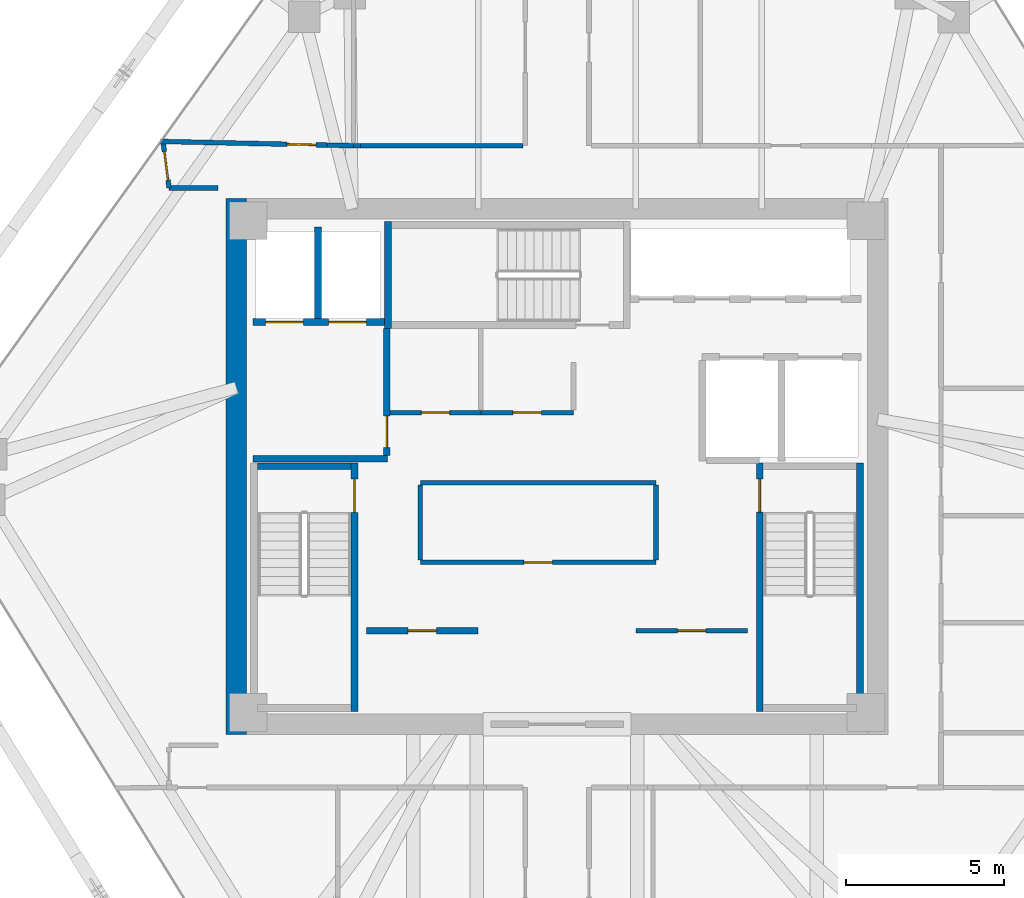
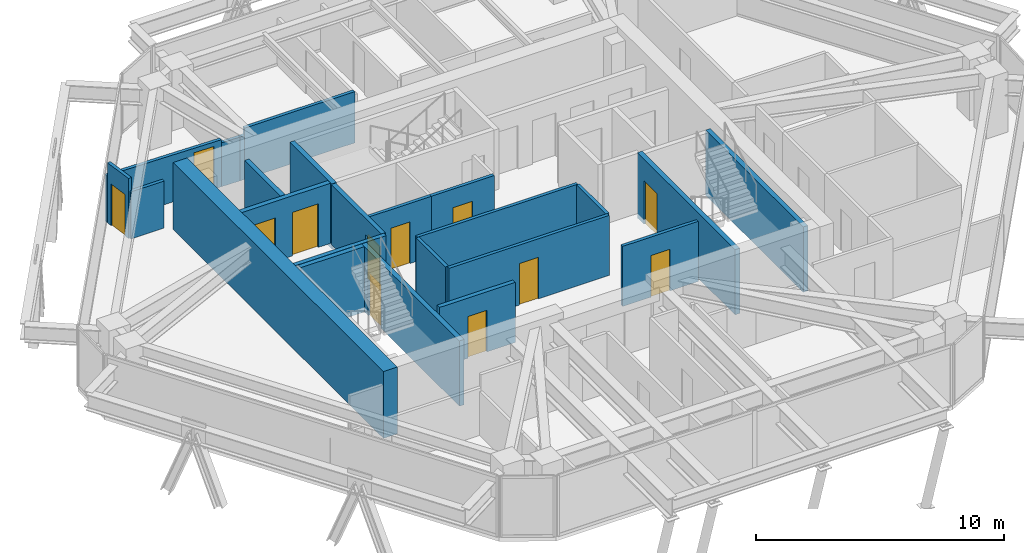
# One storey, part 11 of 14: 24 walls, 12 doors, 12 openings.
"""IFC4 building model written with IfcOpenShell, lengths in metres."""

from ifc_helpers import new_model, si_unit, direction, frame, frame_2d, origin, place, context, subcontext, project, spatial, rectangle, extrude, source, transform, mapped, material, layer, layer_set, type_object, type_shapes, element, fill, save


model = new_model("IFC4")

# Units and contexts
model_context = context("Model", 3, precision=1e-05, world=origin(), true_north=direction((0.0, 1.0)))
body_context = subcontext(model_context, "Body", "Model", "MODEL_VIEW")
ifc_project = project(units=[si_unit("LENGTHUNIT", "METRE"), si_unit("AREAUNIT", "SQUARE_METRE"), si_unit("VOLUMEUNIT", "CUBIC_METRE"), si_unit("PLANEANGLEUNIT", "RADIAN"), si_unit("MASSUNIT", "GRAM", prefix="KILO")], contexts=[model_context])

# Site, building, storey
site_placement = place(None, origin())
site = spatial("IfcSite", under=ifc_project, at=site_placement, CompositionType="ELEMENT")
building_placement = place(site_placement, origin())
building = spatial("IfcBuilding", under=site, at=building_placement, Name="Durnholm Broadcast Tower", CompositionType="ELEMENT")
storey_placement = place(building_placement, frame((0.0, 0.0, 159.300048828125)))
storey = spatial("IfcBuildingStorey", under=building, at=storey_placement, Name="L43", CompositionType="ELEMENT", Elevation=159.300048828125)

# Walls
ifc_material_1 = material(Name="Concrete C70/85", Category="concrete")
ifc_layer_1 = layer(ifc_material_1, 0.64990234375)
ifc_layer_set_1 = layer_set([ifc_layer_1], Name="Concrete C70/85")
wall_type_1 = type_object("IfcWallType", Name="WALL-CW-650", PredefinedType="SHEAR", material=ifc_layer_set_1)
wall_1_placement = place(storey_placement, frame((-10.175048828125, -8.5, 0.0), z_axis=(0.0, 0.0, 1.0), x_axis=(0.0, 1.0, 0.0)))
element("IfcWall", 1, at=wall_1_placement, inside=storey, type_object=wall_type_1, Name="L43 central core shear wall CW-WEST", PredefinedType="SHEAR", context=body_context, shape_type="SweptSolid", body=[
    extrude(rectangle(XDim=17.0, YDim=0.64990234375, at=frame_2d((8.5, 0.0))), origin(), (0.0, 0.0, 1.0), 3.300048828125),
])
ifc_material_2 = material(Name="Fire-Rated Gypsum Shaftwall", Category="concrete")
ifc_layer_2 = layer(ifc_material_2, 0.199951171875)
ifc_layer_set_2 = layer_set([ifc_layer_2], Name="Fire-Rated Gypsum Shaftwall")
wall_type_2 = type_object("IfcWallType", Name="WALL-LOB-200", PredefinedType="SOLIDWALL", material=ifc_layer_set_2)
wall_2_placement = place(storey_placement, frame((-9.64990234375, 0.25, 0.0), z_axis=(0.0, 0.0, 1.0), x_axis=(1.0, 0.0, 0.0)))
element("IfcWall", 2, at=wall_2_placement, inside=storey, type_object=wall_type_2, Name="L43 Fire Service Access Elevator lobby south wall", PredefinedType="SOLIDWALL", context=body_context, shape_type="SweptSolid", body=[
    extrude(rectangle(XDim=4.27001953125, YDim=0.199951171875, at=frame_2d((2.135009765625, 0.0))), origin(), (0.0, 0.0, 1.0), 2.96484375),
])

# Wall, opening, door
wall_3_placement = place(storey_placement, frame((-5.39990234375, 0.35400390625, 0.0), z_axis=(0.0, 0.0, 1.0), x_axis=(0.0, 1.0, 0.0)))
wall_3 = element("IfcWall", 3, at=wall_3_placement, inside=storey, type_object=wall_type_2, Name="L43 Fire Service Access Elevator lobby east fire wall", PredefinedType="SOLIDWALL", context=body_context, shape_type="SweptSolid", body=[
    extrude(rectangle(XDim=4.02587890625, YDim=0.199951171875, at=frame_2d((2.012939453125, 0.0))), origin(), (0.0, 0.0, 1.0), 2.96484375),
])
opening_1_placement = place(wall_3_placement, frame((0.24609375, 0.0, 0.0)))
opening_1 = element("IfcOpeningElement", 4, at=opening_1_placement, cuts=wall_3, Name="Opening DL-60R", PredefinedType="OPENING", context=body_context, shape_type="SweptSolid", body=[
    extrude(rectangle(XDim=1.0, YDim=2.14990234375, at=frame_2d((0.5, 1.074951171875))), frame((0.0, 0.10986328125, 0.0), z_axis=(0.0, -1.0, 0.0), x_axis=(1.0, 0.0, 0.0)), (0.0, 0.0, 1.0), 0.219970703125),
])
ifc_material_3 = material(Name="Fire-Rated Timber/Steel Door", Category="steel")
ifc_layer_3 = layer(ifc_material_3, 0.050048828125)
ifc_layer_set_3 = layer_set([ifc_layer_3], Name="Fire-Rated Timber/Steel Door")
door_type_1 = type_object("IfcDoorType", Name="DOOR-LOB-FD60-R", OperationType="NOTDEFINED", PredefinedType="DOOR", material=ifc_layer_set_3)
shared_shape_1 = source(origin(), body_context, "Body", "SweptSolid", [
    extrude(rectangle(XDim=1.0, YDim=2.14990234375, at=frame_2d((0.5, 1.074951171875))), frame((0.0, 0.02490234375, 0.0), z_axis=(0.0, -1.0, 0.0), x_axis=(1.0, 0.0, 0.0)), (0.0, 0.0, 1.0), 0.050048828125),
])
type_shapes(door_type_1, [shared_shape_1])
door_1_placement = place(opening_1_placement, origin())
door_1 = element("IfcDoor", 5, at=door_1_placement, inside=storey, type_object=door_type_1, Name="L43 Fire Service Access Elevator lobby smoke door", OperationType="SINGLE_SWING_RIGHT", OverallHeight=2.14990234375, OverallWidth=1.0, PredefinedType="DOOR", context=body_context, shape_type="MappedRepresentation", body=[
    mapped(shared_shape_1, transform((0.0, 0.0, 0.0), x_axis=(1.0, 0.0, 0.0), y_axis=(0.0, 1.0, 0.0), z_axis=(0.0, 0.0, 1.0), scale=1.0)),
])
fill(opening_1, door_1)

wall_4_placement = place(storey_placement, frame((-6.0400390625, -5.2099609375, 0.0), z_axis=(0.0, 0.0, 1.0), x_axis=(1.0, 0.0, 0.0)))
wall_4 = element("IfcWall", 6, at=wall_4_placement, inside=storey, type_object=wall_type_2, Name="L43 Broadcast Signal Rack Room corridor partition", PredefinedType="SOLIDWALL", context=body_context, shape_type="SweptSolid", body=[
    extrude(rectangle(XDim=3.530029296875, YDim=0.199951171875, at=frame_2d((1.76513671875, 0.0))), origin(), (0.0, 0.0, 1.0), 2.96484375),
])
opening_2_placement = place(wall_4_placement, frame((1.31494140625, 0.0, 0.0)))
opening_2 = element("IfcOpeningElement", 7, at=opening_2_placement, cuts=wall_4, Name="Opening DC-60L", PredefinedType="OPENING", context=body_context, shape_type="SweptSolid", body=[
    extrude(rectangle(XDim=0.89990234375, YDim=2.050048828125, at=frame_2d((0.449951171875, 1.02490234375))), frame((0.0, 0.10986328125, 0.0), z_axis=(0.0, -1.0, 0.0), x_axis=(1.0, 0.0, 0.0)), (0.0, 0.0, 1.0), 0.219970703125),
])
ifc_material_4 = material(Name="Fire-Rated Core Service Door", Category="steel")
ifc_layer_4 = layer(ifc_material_4, 0.050048828125)
ifc_layer_set_4 = layer_set([ifc_layer_4], Name="Fire-Rated Core Service Door")
door_type_2 = type_object("IfcDoorType", Name="DOOR-CORE-FD60-L", OperationType="NOTDEFINED", PredefinedType="DOOR", material=ifc_layer_set_4)
shared_shape_2 = source(origin(), body_context, "Body", "SweptSolid", [
    extrude(rectangle(XDim=0.89990234375, YDim=2.050048828125, at=frame_2d((0.449951171875, 1.02490234375))), frame((0.0, 0.02490234375, 0.0), z_axis=(0.0, -1.0, 0.0), x_axis=(1.0, 0.0, 0.0)), (0.0, 0.0, 1.0), 0.050048828125),
])
type_shapes(door_type_2, [shared_shape_2])
door_2_placement = place(opening_2_placement, origin())
door_2 = element("IfcDoor", 8, at=door_2_placement, inside=storey, type_object=door_type_2, Name="L43 Broadcast Signal Rack Room entrance door", OperationType="SINGLE_SWING_LEFT", OverallHeight=2.050048828125, OverallWidth=0.89990234375, PredefinedType="DOOR", context=body_context, shape_type="MappedRepresentation", body=[
    mapped(shared_shape_2, transform((0.0, 0.0, 0.0), x_axis=(1.0, 0.0, 0.0), y_axis=(0.0, 1.0, 0.0), z_axis=(0.0, 0.0, 1.0), scale=1.0)),
])
fill(opening_2, door_2)

ifc_material_5 = material(Name="Acoustic Gypsum Stud Partition", Category="concrete")
ifc_layer_5 = layer(ifc_material_5, 0.14990234375)
ifc_layer_set_5 = layer_set([ifc_layer_5], Name="Acoustic Gypsum Stud Partition")
wall_type_3 = type_object("IfcWallType", Name="WALL-PART-150", PredefinedType="PARTITIONING", material=ifc_layer_set_5)
wall_5_placement = place(storey_placement, frame((2.510009765625, -5.2099609375, 0.0), z_axis=(0.0, 0.0, 1.0), x_axis=(1.0, 0.0, 0.0)))
wall_5 = element("IfcWall", 9, at=wall_5_placement, inside=storey, type_object=wall_type_3, Name="L43 Editorial Beverage Pantry corridor partition", PredefinedType="PARTITIONING", context=body_context, shape_type="SweptSolid", body=[
    extrude(rectangle(XDim=3.530029296875, YDim=0.14990234375, at=frame_2d((1.76513671875, 0.0))), origin(), (0.0, 0.0, 1.0), 2.96484375),
])
opening_3_placement = place(wall_5_placement, frame((1.31494140625, 0.0, 0.0)))
opening_3 = element("IfcOpeningElement", 10, at=opening_3_placement, cuts=wall_5, Name="Opening DC-60R", PredefinedType="OPENING", context=body_context, shape_type="SweptSolid", body=[
    extrude(rectangle(XDim=0.89990234375, YDim=2.050048828125, at=frame_2d((0.449951171875, 1.02490234375))), frame((0.0, 0.0849609375, 0.0), z_axis=(0.0, -1.0, 0.0), x_axis=(1.0, 0.0, 0.0)), (0.0, 0.0, 1.0), 0.169921875),
])
ifc_layer_6 = layer(ifc_material_4, 0.050048828125)
ifc_layer_set_6 = layer_set([ifc_layer_6], Name="Fire-Rated Core Service Door")
door_type_3 = type_object("IfcDoorType", Name="DOOR-CORE-FD60-R", OperationType="NOTDEFINED", PredefinedType="DOOR", material=ifc_layer_set_6)
shared_shape_3 = source(origin(), body_context, "Body", "SweptSolid", [
    extrude(rectangle(XDim=0.89990234375, YDim=2.050048828125, at=frame_2d((0.449951171875, 1.02490234375))), frame((0.0, 0.02490234375, 0.0), z_axis=(0.0, -1.0, 0.0), x_axis=(1.0, 0.0, 0.0)), (0.0, 0.0, 1.0), 0.050048828125),
])
type_shapes(door_type_3, [shared_shape_3])
door_3_placement = place(opening_3_placement, origin())
door_3 = element("IfcDoor", 11, at=door_3_placement, inside=storey, type_object=door_type_3, Name="L43 Editorial Beverage Pantry entrance door", OperationType="SINGLE_SWING_RIGHT", OverallHeight=2.050048828125, OverallWidth=0.89990234375, PredefinedType="DOOR", context=body_context, shape_type="MappedRepresentation", body=[
    mapped(shared_shape_3, transform((0.0, 0.0, 0.0), x_axis=(1.0, 0.0, 0.0), y_axis=(0.0, 1.0, 0.0), z_axis=(0.0, 0.0, 1.0), scale=1.0)),
])
fill(opening_3, door_3)

wall_6_placement = place(storey_placement, frame((3.139892578125, -3.0400390625, 0.0), z_axis=(0.0, 0.0, 1.0), x_axis=(-1.0, 0.0, 0.0)))
wall_6 = element("IfcWall", 12, at=wall_6_placement, inside=storey, type_object=wall_type_3, Name="L43 Broadcast Equipment Pantry corridor partition", PredefinedType="PARTITIONING", context=body_context, shape_type="SweptSolid", body=[
    extrude(rectangle(XDim=7.47998046875, YDim=0.14990234375, at=frame_2d((3.739990234375, 0.0))), origin(), (0.0, 0.0, 1.0), 2.96484375),
])
opening_4_placement = place(wall_6_placement, frame((3.2900390625, 0.0, 0.0)))
opening_4 = element("IfcOpeningElement", 13, at=opening_4_placement, cuts=wall_6, Name="Opening DC-60L", PredefinedType="OPENING", context=body_context, shape_type="SweptSolid", body=[
    extrude(rectangle(XDim=0.89990234375, YDim=2.050048828125, at=frame_2d((0.449951171875, 1.02490234375))), frame((0.0, 0.0849609375, 0.0), z_axis=(0.0, -1.0, 0.0), x_axis=(1.0, 0.0, 0.0)), (0.0, 0.0, 1.0), 0.169921875),
])
door_4_placement = place(opening_4_placement, origin())
door_4 = element("IfcDoor", 14, at=door_4_placement, inside=storey, type_object=door_type_2, Name="L43 Broadcast Equipment Pantry entrance door", OperationType="SINGLE_SWING_LEFT", OverallHeight=2.050048828125, OverallWidth=0.89990234375, PredefinedType="DOOR", context=body_context, shape_type="MappedRepresentation", body=[
    mapped(shared_shape_2, transform((0.0, 0.0, 0.0), x_axis=(1.0, 0.0, 0.0), y_axis=(0.0, 1.0, 0.0), z_axis=(0.0, 0.0, 1.0), scale=1.0)),
])
fill(opening_4, door_4)

# Walls
wall_7_placement = place(storey_placement, frame((-4.340087890625, -0.510009765625, 0.0), z_axis=(0.0, 0.0, 1.0), x_axis=(1.0, 0.0, 0.0)))
element("IfcWall", 15, at=wall_7_placement, inside=storey, type_object=wall_type_3, Name="L43 Broadcast Equipment Pantry corridor partition", PredefinedType="PARTITIONING", context=body_context, shape_type="SweptSolid", body=[
    extrude(rectangle(XDim=7.47998046875, YDim=0.14990234375, at=frame_2d((3.739990234375, 0.0))), origin(), (0.0, 0.0, 1.0), 2.96484375),
])
for number, where, z_axis, x_axis, name in (
    (16, (-4.340087890625, -2.9609375, 0.0), (0.0, 0.0, 1.0), (0.0, 1.0, 0.0), "L43 Broadcast Equipment Pantry corridor partition"),
    (17, (3.139892578125, -0.589111328125, 0.0), (0.0, 0.0, 1.0), (0.0, -1.0, 0.0), "L43 Broadcast Equipment Pantry corridor partition"),
):
    element("IfcWall", number, at=place(storey_placement, frame(where, z_axis=z_axis, x_axis=x_axis)), inside=storey, type_object=wall_type_3, Name=name, PredefinedType="PARTITIONING", context=body_context, shape_type="SweptSolid", body=[
        extrude(rectangle(XDim=2.371826171875, YDim=0.14990234375, at=frame_2d((1.18603515625, 0.0))), origin(), (0.0, 0.0, 1.0), 2.96484375),
    ])

# Wall, opening, door
wall_8_placement = place(storey_placement, frame((-2.419921875, 1.7099609375, 0.0), z_axis=(0.0, 0.0, 1.0), x_axis=(-1.0, 0.0, 0.0)))
wall_8 = element("IfcWall", 18, at=wall_8_placement, inside=storey, type_object=wall_type_3, Name="L43 Core Equipment Store corridor partition", PredefinedType="PARTITIONING", context=body_context, shape_type="SweptSolid", body=[
    extrude(rectangle(XDim=2.8759765625, YDim=0.14990234375, at=frame_2d((1.43798828125, 0.0))), origin(), (0.0, 0.0, 1.0), 2.96484375),
])
opening_5_placement = place(wall_8_placement, frame((0.988037109375, 0.0, 0.0)))
opening_5 = element("IfcOpeningElement", 19, at=opening_5_placement, cuts=wall_8, Name="Opening DC-60R", PredefinedType="OPENING", context=body_context, shape_type="SweptSolid", body=[
    extrude(rectangle(XDim=0.89990234375, YDim=2.050048828125, at=frame_2d((0.449951171875, 1.02490234375))), frame((0.0, 0.0849609375, 0.0), z_axis=(0.0, -1.0, 0.0), x_axis=(1.0, 0.0, 0.0)), (0.0, 0.0, 1.0), 0.169921875),
])
door_5_placement = place(opening_5_placement, origin())
door_5 = element("IfcDoor", 20, at=door_5_placement, inside=storey, type_object=door_type_3, Name="L43 Core Equipment Store entrance door", OperationType="SINGLE_SWING_RIGHT", OverallHeight=2.050048828125, OverallWidth=0.89990234375, PredefinedType="DOOR", context=body_context, shape_type="MappedRepresentation", body=[
    mapped(shared_shape_3, transform((0.0, 0.0, 0.0), x_axis=(1.0, 0.0, 0.0), y_axis=(0.0, 1.0, 0.0), z_axis=(0.0, 0.0, 1.0), scale=1.0)),
])
fill(opening_5, door_5)

wall_9_placement = place(storey_placement, frame((0.52001953125, 1.7099609375, 0.0), z_axis=(0.0, 0.0, 1.0), x_axis=(-1.0, 0.0, 0.0)))
wall_9 = element("IfcWall", 21, at=wall_9_placement, inside=storey, type_object=wall_type_3, Name="L43 Core Mail and Supply Room corridor partition", PredefinedType="PARTITIONING", context=body_context, shape_type="SweptSolid", body=[
    extrude(rectangle(XDim=2.93994140625, YDim=0.14990234375, at=frame_2d((1.469970703125, 0.0))), origin(), (0.0, 0.0, 1.0), 2.96484375),
])
opening_6_placement = place(wall_9_placement, frame((1.02001953125, 0.0, 0.0)))
opening_6 = element("IfcOpeningElement", 22, at=opening_6_placement, cuts=wall_9, Name="Opening DC-60L", PredefinedType="OPENING", context=body_context, shape_type="SweptSolid", body=[
    extrude(rectangle(XDim=0.89990234375, YDim=2.050048828125, at=frame_2d((0.449951171875, 1.02490234375))), frame((0.0, 0.0849609375, 0.0), z_axis=(0.0, -1.0, 0.0), x_axis=(1.0, 0.0, 0.0)), (0.0, 0.0, 1.0), 0.169921875),
])
door_6_placement = place(opening_6_placement, origin())
door_6 = element("IfcDoor", 23, at=door_6_placement, inside=storey, type_object=door_type_2, Name="L43 Core Mail and Supply Room entrance door", OperationType="SINGLE_SWING_LEFT", OverallHeight=2.050048828125, OverallWidth=0.89990234375, PredefinedType="DOOR", context=body_context, shape_type="MappedRepresentation", body=[
    mapped(shared_shape_2, transform((0.0, 0.0, 0.0), x_axis=(1.0, 0.0, 0.0), y_axis=(0.0, 1.0, 0.0), z_axis=(0.0, 0.0, 1.0), scale=1.0)),
])
fill(opening_6, door_6)

wall_10_placement = place(storey_placement, frame((-7.303955078125, 10.19873046875, 0.0), z_axis=(0.0, 0.0, 1.0), x_axis=(-0.99975438671, 0.022162270975, 0.0)))
wall_10 = element("IfcWall", 24, at=wall_10_placement, inside=storey, type_object=wall_type_3, Name="L43 Spatial Computing Lab Office corridor partition", PredefinedType="PARTITIONING", context=body_context, shape_type="SweptSolid", body=[
    extrude(rectangle(XDim=5.276611328125, YDim=0.14990234375, at=frame_2d((2.63818359375, 0.0))), origin(), (0.0, 0.0, 1.0), 2.31884765625),
])
opening_7_placement = place(wall_10_placement, frame((0.35009765625, 0.0, 0.0)))
opening_7 = element("IfcOpeningElement", 25, at=opening_7_placement, cuts=wall_10, Name="Opening DR-92L", PredefinedType="OPENING", context=body_context, shape_type="SweptSolid", body=[
    extrude(rectangle(XDim=0.919921875, YDim=2.10009765625, at=frame_2d((0.4599609375, 1.050048828125))), frame((0.0, 0.0849609375, 0.0), z_axis=(0.0, -1.0, 0.0), x_axis=(1.0, 0.0, 0.0)), (0.0, 0.0, 1.0), 0.169921875),
])
ifc_material_6 = material(Name="Oak Veneer Office Door", Category="wood")
ifc_layer_7 = layer(ifc_material_6, 0.050048828125)
ifc_layer_set_7 = layer_set([ifc_layer_7], Name="Oak Veneer Office Door")
door_type_4 = type_object("IfcDoorType", Name="DOOR-RM-920L", OperationType="NOTDEFINED", PredefinedType="DOOR", material=ifc_layer_set_7)
shared_shape_4 = source(origin(), body_context, "Body", "SweptSolid", [
    extrude(rectangle(XDim=0.919921875, YDim=2.10009765625, at=frame_2d((0.4599609375, 1.050048828125))), frame((0.0, 0.02490234375, 0.0), z_axis=(0.0, -1.0, 0.0), x_axis=(1.0, 0.0, 0.0)), (0.0, 0.0, 1.0), 0.050048828125),
])
type_shapes(door_type_4, [shared_shape_4])
door_7_placement = place(opening_7_placement, origin())
door_7 = element("IfcDoor", 26, at=door_7_placement, inside=storey, type_object=door_type_4, Name="L43 Spatial Computing Lab Office entrance door", OperationType="SINGLE_SWING_LEFT", OverallHeight=2.10009765625, OverallWidth=0.919921875, PredefinedType="DOOR", context=body_context, shape_type="MappedRepresentation", body=[
    mapped(shared_shape_4, transform((0.0, 0.0, 0.0), x_axis=(1.0, 0.0, 0.0), y_axis=(0.0, 1.0, 0.0), z_axis=(0.0, 0.0, 1.0), scale=1.0)),
])
fill(opening_7, door_7)

# Walls
wall_11_placement = place(storey_placement, frame((-6.4599609375, 10.179931640625, 0.0), z_axis=(0.0, 0.0, 1.0), x_axis=(-0.99975203457, 0.022268124577, 0.0)))
element("IfcWall", 27, at=wall_11_placement, inside=storey, type_object=wall_type_3, Name="L43 Spatial Computing Lab Office corridor partition", PredefinedType="PARTITIONING", context=body_context, shape_type="SweptSolid", body=[
    extrude(rectangle(XDim=0.84423828125, YDim=0.14990234375, at=frame_2d((0.422119140625, 0.0))), origin(), (0.0, 0.0, 1.0), 2.161865234375),
])
wall_12_placement = place(storey_placement, frame((-1.089111328125, 10.179931640625, 0.0), z_axis=(0.0, 0.0, 1.0), x_axis=(-1.0, 0.0, 0.0)))
element("IfcWall", 28, at=wall_12_placement, inside=storey, type_object=wall_type_3, Name="L43 Broadcast R&D Hall corridor partition", PredefinedType="PARTITIONING", context=body_context, shape_type="SweptSolid", body=[
    extrude(rectangle(XDim=5.1435546875, YDim=0.14990234375, at=frame_2d((2.57177734375, 0.0))), origin(), (0.0, 0.0, 1.0), 2.5283203125),
])
wall_13_placement = place(storey_placement, frame((-6.232666015625, 10.179931640625, 0.0), z_axis=(0.0, 0.0, 1.0), x_axis=(-1.0, 0.0, 0.0)))
element("IfcWall", 29, at=wall_13_placement, inside=storey, type_object=wall_type_3, Name="L43 Broadcast R&D Hall corridor partition", PredefinedType="PARTITIONING", context=body_context, shape_type="SweptSolid", body=[
    extrude(rectangle(XDim=0.227294921875, YDim=0.14990234375, at=frame_2d((0.11376953125, 0.0))), origin(), (0.0, 0.0, 1.0), 2.161865234375),
])
wall_14_placement = place(storey_placement, frame((-12.31005859375, 8.840087890625, 0.0), z_axis=(0.0, 0.0, 1.0), x_axis=(1.0, 0.0, 0.0)))
element("IfcWall", 30, at=wall_14_placement, inside=storey, type_object=wall_type_3, Name="L43 Acoustics Testing Office corridor partition", PredefinedType="PARTITIONING", context=body_context, shape_type="SweptSolid", body=[
    extrude(rectangle(XDim=1.550048828125, YDim=0.14990234375, at=frame_2d((0.77490234375, 0.0))), origin(), (0.0, 0.0, 1.0), 2.31884765625),
])

# Wall, opening, door
wall_15_placement = place(storey_placement, frame((-12.491943359375, 10.234619140625, 0.0), z_axis=(0.0, 0.0, 1.0), x_axis=(0.129331762516, -0.991601379186, 0.0)))
wall_15 = element("IfcWall", 31, at=wall_15_placement, inside=storey, type_object=wall_type_3, Name="L43 Acoustics Testing Office corridor partition", PredefinedType="PARTITIONING", context=body_context, shape_type="SweptSolid", body=[
    extrude(rectangle(XDim=1.40625, YDim=0.14990234375, at=frame_2d((0.703125, 0.0))), origin(), (0.0, 0.0, 1.0), 2.96484375),
])
opening_8_placement = place(wall_15_placement, frame((0.253173828125, 0.0, 0.0)))
opening_8 = element("IfcOpeningElement", 32, at=opening_8_placement, cuts=wall_15, Name="Opening DW-90R", PredefinedType="OPENING", context=body_context, shape_type="SweptSolid", body=[
    extrude(rectangle(XDim=0.89990234375, YDim=2.050048828125, at=frame_2d((0.449951171875, 1.02490234375))), frame((0.0, 0.0849609375, 0.0), z_axis=(0.0, -1.0, 0.0), x_axis=(1.0, 0.0, 0.0)), (0.0, 0.0, 1.0), 0.169921875),
])
ifc_material_7 = material(Name="Laminate Restroom Door", Category="steel")
ifc_layer_8 = layer(ifc_material_7, 0.050048828125)
ifc_layer_set_8 = layer_set([ifc_layer_8], Name="Laminate Restroom Door")
door_type_5 = type_object("IfcDoorType", Name="DOOR-WC-900R", OperationType="NOTDEFINED", PredefinedType="DOOR", material=ifc_layer_set_8)
shared_shape_5 = source(origin(), body_context, "Body", "SweptSolid", [
    extrude(rectangle(XDim=0.89990234375, YDim=2.050048828125, at=frame_2d((0.449951171875, 1.02490234375))), frame((0.0, 0.02490234375, 0.0), z_axis=(0.0, -1.0, 0.0), x_axis=(1.0, 0.0, 0.0)), (0.0, 0.0, 1.0), 0.050048828125),
])
type_shapes(door_type_5, [shared_shape_5])
door_8_placement = place(opening_8_placement, origin())
door_8 = element("IfcDoor", 33, at=door_8_placement, inside=storey, type_object=door_type_5, Name="L43 Acoustics Testing Office entrance door", OperationType="SINGLE_SWING_RIGHT", OverallHeight=2.050048828125, OverallWidth=0.89990234375, PredefinedType="DOOR", context=body_context, shape_type="MappedRepresentation", body=[
    mapped(shared_shape_5, transform((0.0, 0.0, 0.0), x_axis=(1.0, 0.0, 0.0), y_axis=(0.0, 1.0, 0.0), z_axis=(0.0, 0.0, 1.0), scale=1.0)),
])
fill(opening_8, door_8)

# Wall, openings, doors
ifc_material_8 = material(Name="Concrete Blockwork C30/37", Category="masonry")
ifc_layer_9 = layer(ifc_material_8, 0.219970703125)
ifc_layer_set_9 = layer_set([ifc_layer_9], Name="Concrete Blockwork C30/37")
wall_type_4 = type_object("IfcWallType", Name="WALL-SHAFT-220", PredefinedType="SOLIDWALL", material=ifc_layer_set_9)
wall_16_placement = place(storey_placement, frame((-9.64990234375, 4.580078125, 0.0), z_axis=(0.0, 0.0, 1.0), x_axis=(1.0, 0.0, 0.0)))
wall_16 = element("IfcWall", 34, at=wall_16_placement, inside=storey, type_object=wall_type_4, Name="L43 FSAE hoistway front fire wall", PredefinedType="SOLIDWALL", context=body_context, shape_type="SweptSolid", body=[
    extrude(rectangle(XDim=4.1748046875, YDim=0.219970703125, at=frame_2d((2.08740234375, 0.0))), origin(), (0.0, 0.0, 1.0), 2.96484375),
])
opening_9_placement = place(wall_16_placement, frame((0.39990234375, 0.0, 0.0)))
opening_9 = element("IfcOpeningElement", 35, at=opening_9_placement, cuts=wall_16, Name="Opening LD-FSAE-2", PredefinedType="OPENING", context=body_context, shape_type="SweptSolid", body=[
    extrude(rectangle(XDim=1.199951171875, YDim=2.14990234375, at=frame_2d((0.60009765625, 1.074951171875))), frame((0.0, 0.1201171875, 0.0), z_axis=(0.0, -1.0, 0.0), x_axis=(1.0, 0.0, 0.0)), (0.0, 0.0, 1.0), 0.239990234375),
])
opening_10_placement = place(wall_16_placement, frame((2.39990234375, 0.0, 0.0)))
opening_10 = element("IfcOpeningElement", 36, at=opening_10_placement, cuts=wall_16, Name="Opening LD-FSAE-1", PredefinedType="OPENING", context=body_context, shape_type="SweptSolid", body=[
    extrude(rectangle(XDim=1.199951171875, YDim=2.14990234375, at=frame_2d((0.60009765625, 1.074951171875))), frame((0.0, 0.1201171875, 0.0), z_axis=(0.0, -1.0, 0.0), x_axis=(1.0, 0.0, 0.0)), (0.0, 0.0, 1.0), 0.239990234375),
])
ifc_material_9 = material(Name="Fire Service Access Sliding Landing Door", Category="steel")
ifc_layer_10 = layer(ifc_material_9, 0.050048828125)
ifc_layer_set_10 = layer_set([ifc_layer_10], Name="Fire Service Access Sliding Landing Door")
door_type_6 = type_object("IfcDoorType", Name="DOOR-LIFT-FSAE", OperationType="DOUBLE_DOOR_SLIDING", PredefinedType="DOOR", material=ifc_layer_set_10)
shared_shape_6 = source(origin(), body_context, "Body", "SweptSolid", [
    extrude(rectangle(XDim=1.199951171875, YDim=2.14990234375, at=frame_2d((0.60009765625, 1.074951171875))), frame((0.0, 0.02490234375, 0.0), z_axis=(0.0, -1.0, 0.0), x_axis=(1.0, 0.0, 0.0)), (0.0, 0.0, 1.0), 0.050048828125),
])
type_shapes(door_type_6, [shared_shape_6])
door_9_placement = place(opening_9_placement, origin())
door_9 = element("IfcDoor", 37, at=door_9_placement, inside=storey, type_object=door_type_6, Name="L43 Fire Service Access Elevator FSAE-2 sliding landing door", OperationType="DOUBLE_DOOR_SLIDING", OverallHeight=2.14990234375, OverallWidth=1.199951171875, PredefinedType="DOOR", context=body_context, shape_type="MappedRepresentation", body=[
    mapped(shared_shape_6, transform((0.0, 0.0, 0.0), x_axis=(1.0, 0.0, 0.0), y_axis=(0.0, 1.0, 0.0), z_axis=(0.0, 0.0, 1.0), scale=1.0)),
])
fill(opening_9, door_9)
door_10_placement = place(opening_10_placement, origin())
door_10 = element("IfcDoor", 38, at=door_10_placement, inside=storey, type_object=door_type_6, Name="L43 Fire Service Access Elevator FSAE-1 sliding landing door", OperationType="DOUBLE_DOOR_SLIDING", OverallHeight=2.14990234375, OverallWidth=1.199951171875, PredefinedType="DOOR", context=body_context, shape_type="MappedRepresentation", body=[
    mapped(shared_shape_6, transform((0.0, 0.0, 0.0), x_axis=(1.0, 0.0, 0.0), y_axis=(0.0, 1.0, 0.0), z_axis=(0.0, 0.0, 1.0), scale=1.0)),
])
fill(opening_10, door_10)

# Wall
wall_17_placement = place(storey_placement, frame((-7.580078125, 4.694091796875, 0.0), z_axis=(0.0, 0.0, 1.0), x_axis=(0.0, 1.0, 0.0)))
element("IfcWall", 39, at=wall_17_placement, inside=storey, type_object=wall_type_4, Name="L43 FSAE shaft divider wall", PredefinedType="SOLIDWALL", context=body_context, shape_type="SweptSolid", body=[
    extrude(rectangle(XDim=2.906005859375, YDim=0.219970703125, at=frame_2d((1.453125, 0.0))), origin(), (0.0, 0.0, 1.0), 2.96484375),
])

# Wall, opening, door
ifc_material_10 = material(Name="Concrete C50/60", Category="concrete")
ifc_layer_11 = layer(ifc_material_10, 0.219970703125)
ifc_layer_set_11 = layer_set([ifc_layer_11], Name="Concrete C50/60")
wall_type_5 = type_object("IfcWallType", Name="WALL-SW-220", PredefinedType="SHEAR", material=ifc_layer_set_11)
wall_18_placement = place(storey_placement, frame((-6.429931640625, -7.77001953125, -0.239990234375), z_axis=(0.0, 0.0, 1.0), x_axis=(0.0, 1.0, 0.0)))
wall_18 = element("IfcWall", 40, at=wall_18_placement, inside=storey, type_object=wall_type_5, Name="L43 stair ST-1 structural shaft wall E", PredefinedType="SHEAR", context=body_context, shape_type="SweptSolid", body=[
    extrude(rectangle(XDim=7.89013671875, YDim=0.219970703125, at=frame_2d((3.945068359375, 0.0))), origin(), (0.0, 0.0, 1.0), 3.219970703125),
])
opening_11_placement = place(wall_18_placement, frame((6.320068359375, 0.0, 0.0)))
opening_11 = element("IfcOpeningElement", 41, at=opening_11_placement, cuts=wall_18, Name="Opening DS-90L", PredefinedType="OPENING", context=body_context, shape_type="SweptSolid", body=[
    extrude(rectangle(XDim=1.050048828125, YDim=2.14990234375, at=frame_2d((0.52490234375, 1.074951171875))), frame((0.0, 0.1201171875, 0.0), z_axis=(0.0, -1.0, 0.0), x_axis=(1.0, 0.0, 0.0)), (0.0, 0.0, 1.0), 0.239990234375),
])
ifc_material_11 = material(Name="Fire-Rated Steel Door", Category="steel")
ifc_layer_12 = layer(ifc_material_11, 0.050048828125)
ifc_layer_set_12 = layer_set([ifc_layer_12], Name="Fire-Rated Steel Door")
door_type_7 = type_object("IfcDoorType", Name="DOOR-ST-FD90-L", OperationType="NOTDEFINED", PredefinedType="DOOR", material=ifc_layer_set_12)
shared_shape_7 = source(origin(), body_context, "Body", "SweptSolid", [
    extrude(rectangle(XDim=1.050048828125, YDim=2.14990234375, at=frame_2d((0.52490234375, 1.074951171875))), frame((0.0, 0.02490234375, 0.0), z_axis=(0.0, -1.0, 0.0), x_axis=(1.0, 0.0, 0.0)), (0.0, 0.0, 1.0), 0.050048828125),
])
type_shapes(door_type_7, [shared_shape_7])
door_11_placement = place(opening_11_placement, origin())
door_11 = element("IfcDoor", 42, at=door_11_placement, inside=storey, type_object=door_type_7, Name="L43 exit stair ST-1 fire door", OperationType="SINGLE_SWING_LEFT", OverallHeight=2.14990234375, OverallWidth=1.050048828125, PredefinedType="DOOR", context=body_context, shape_type="MappedRepresentation", body=[
    mapped(shared_shape_7, transform((0.0, 0.0, 0.0), x_axis=(1.0, 0.0, 0.0), y_axis=(0.0, 1.0, 0.0), z_axis=(0.0, 0.0, 1.0), scale=1.0)),
])
fill(opening_11, door_11)

# Walls
wall_19_placement = place(storey_placement, frame((-6.5400390625, 0.010009765625, -0.239990234375), z_axis=(0.0, 0.0, 1.0), x_axis=(-1.0, 0.0, 0.0)))
element("IfcWall", 43, at=wall_19_placement, inside=storey, type_object=wall_type_5, Name="L43 stair ST-1 structural shaft wall N", PredefinedType="SHEAR", context=body_context, shape_type="SweptSolid", body=[
    extrude(rectangle(XDim=2.9599609375, YDim=0.219970703125, at=frame_2d((1.47998046875, 0.0))), origin(), (0.0, 0.0, 1.0), 3.219970703125),
])
wall_20_placement = place(storey_placement, frame((9.610107421875, -7.77001953125, -0.239990234375), z_axis=(0.0, 0.0, 1.0), x_axis=(0.0, 1.0, 0.0)))
element("IfcWall", 44, at=wall_20_placement, inside=storey, type_object=wall_type_5, Name="L43 stair ST-2 structural shaft wall E", PredefinedType="SHEAR", context=body_context, shape_type="SweptSolid", body=[
    extrude(rectangle(XDim=7.89013671875, YDim=0.219970703125, at=frame_2d((3.945068359375, 0.0))), origin(), (0.0, 0.0, 1.0), 3.219970703125),
])

# Wall, opening, door
wall_21_placement = place(storey_placement, frame((6.429931640625, 0.1201171875, -0.239990234375), z_axis=(0.0, 0.0, 1.0), x_axis=(0.0, -1.0, 0.0)))
wall_21 = element("IfcWall", 45, at=wall_21_placement, inside=storey, type_object=wall_type_5, Name="L43 stair ST-2 structural shaft wall W", PredefinedType="SHEAR", context=body_context, shape_type="SweptSolid", body=[
    extrude(rectangle(XDim=7.89013671875, YDim=0.219970703125, at=frame_2d((3.945068359375, 0.0))), origin(), (0.0, 0.0, 1.0), 3.219970703125),
])
opening_12_placement = place(wall_21_placement, frame((0.52001953125, 0.0, 0.0)))
opening_12 = element("IfcOpeningElement", 46, at=opening_12_placement, cuts=wall_21, Name="Opening DS-90R", PredefinedType="OPENING", context=body_context, shape_type="SweptSolid", body=[
    extrude(rectangle(XDim=1.050048828125, YDim=2.14990234375, at=frame_2d((0.52490234375, 1.074951171875))), frame((0.0, 0.1201171875, 0.0), z_axis=(0.0, -1.0, 0.0), x_axis=(1.0, 0.0, 0.0)), (0.0, 0.0, 1.0), 0.239990234375),
])
ifc_layer_13 = layer(ifc_material_11, 0.050048828125)
ifc_layer_set_13 = layer_set([ifc_layer_13], Name="Fire-Rated Steel Door")
door_type_8 = type_object("IfcDoorType", Name="DOOR-ST-FD90-R", OperationType="NOTDEFINED", PredefinedType="DOOR", material=ifc_layer_set_13)
shared_shape_8 = source(origin(), body_context, "Body", "SweptSolid", [
    extrude(rectangle(XDim=1.050048828125, YDim=2.14990234375, at=frame_2d((0.52490234375, 1.074951171875))), frame((0.0, 0.02490234375, 0.0), z_axis=(0.0, -1.0, 0.0), x_axis=(1.0, 0.0, 0.0)), (0.0, 0.0, 1.0), 0.050048828125),
])
type_shapes(door_type_8, [shared_shape_8])
door_12_placement = place(opening_12_placement, origin())
door_12 = element("IfcDoor", 47, at=door_12_placement, inside=storey, type_object=door_type_8, Name="L43 exit stair ST-2 fire door", OperationType="SINGLE_SWING_RIGHT", OverallHeight=2.14990234375, OverallWidth=1.050048828125, PredefinedType="DOOR", context=body_context, shape_type="MappedRepresentation", body=[
    mapped(shared_shape_8, transform((0.0, 0.0, 0.0), x_axis=(1.0, 0.0, 0.0), y_axis=(0.0, 1.0, 0.0), z_axis=(0.0, 0.0, 1.0), scale=1.0)),
])
fill(opening_12, door_12)

# Wall
wall_22_placement = place(storey_placement, frame((-5.360107421875, 7.780029296875, -0.239990234375), z_axis=(0.0, 0.0, 1.0), x_axis=(0.0, -1.0, 0.0)))
element("IfcWall", 48, at=wall_22_placement, inside=storey, type_object=wall_type_5, Name="L43 stair ST-3 structural shaft wall W", PredefinedType="SHEAR", context=body_context, shape_type="SweptSolid", body=[
    extrude(rectangle(XDim=3.400146484375, YDim=0.219970703125, at=frame_2d((1.7001953125, 0.0))), origin(), (0.0, 0.0, 1.0), 3.219970703125),
])

save(model, "model.ifc")
